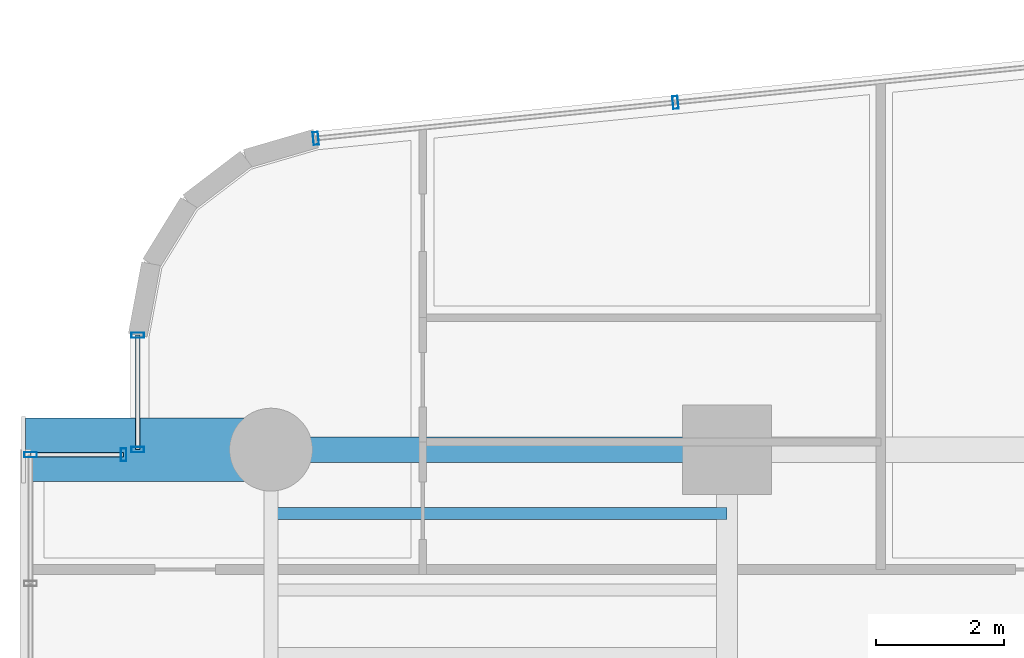
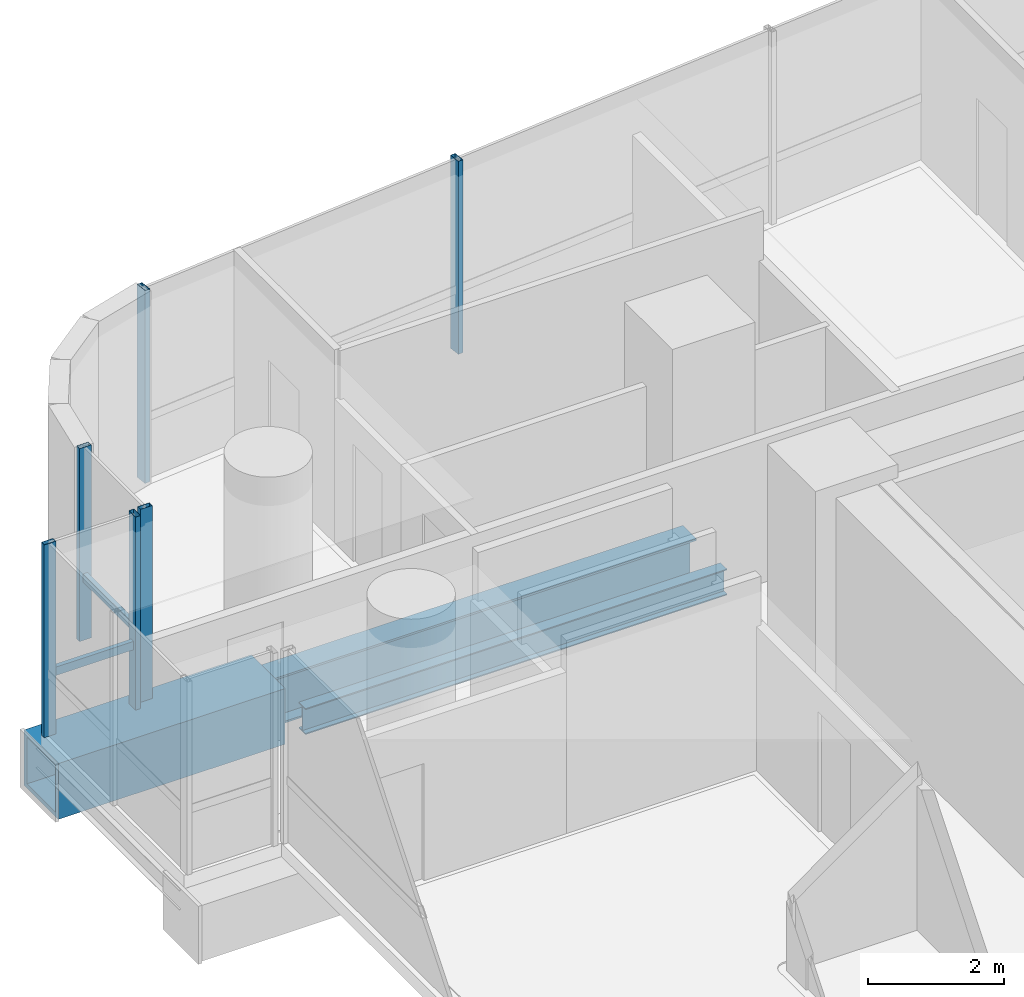
# One storey, part 19 of 42: 8 members, 3 beams, 4 elements without a shape of their own.
"""IFC4 building model written with IfcOpenShell, lengths in metres."""

from ifc_helpers import new_model, si_unit, direction, frame, origin, origin_2d, place, context, subcontext, project, spatial, hollow_rectangle, i_section, extrude, source, transform, mapped, material, material_profile, profile_set, type_object, element, aggregate, save


model = new_model("IFC4")

# Units and contexts
model_context = context("Model", 3, precision=1e-05, world=origin(), true_north=direction((0.0, 1.0)))
body_context = subcontext(model_context, "Body", "Model", "MODEL_VIEW")
ifc_project = project(units=[si_unit("LENGTHUNIT", "METRE"), si_unit("AREAUNIT", "SQUARE_METRE"), si_unit("VOLUMEUNIT", "CUBIC_METRE"), si_unit("PLANEANGLEUNIT", "RADIAN"), si_unit("MASSUNIT", "GRAM", prefix="KILO")], contexts=[model_context])

# Site, building, storey
site_placement = place(None, origin())
site = spatial("IfcSite", under=ifc_project, at=site_placement, CompositionType="ELEMENT")
building_placement = place(site_placement, origin())
building = spatial("IfcBuilding", under=site, at=building_placement, Name="Valdorenza Pilgrim Sanctuary Tower", CompositionType="ELEMENT")
storey_placement = place(building_placement, frame((0.0, 0.0, 55.60009765625)))
storey = spatial("IfcBuildingStorey", under=building, at=storey_placement, Name="L13", CompositionType="ELEMENT", Elevation=55.60009765625)

# Beams
ifc_material_1 = material(Name="Steel ASTM A992 Grade 50", Category="steel")
ifc_material_profile_1 = material_profile(ifc_material_1, i_section(OverallWidth=0.193115234375, OverallDepth=0.466064453125, WebThickness=0.011474609375, FlangeThickness=0.01904296875, at=origin_2d()), Name="W18X65")
ifc_profile_set_1 = profile_set([ifc_material_profile_1], Name="Steel ASTM A992 Grade 50")
beam_type_1 = type_object("IfcBeamType", Name="STR-BM-JST-W18A", PredefinedType="JOIST", material=ifc_profile_set_1)
shared_shape_1 = source(origin(), body_context, "Body", "SweptSolid", [
    extrude(i_section(OverallWidth=0.193115234375, OverallDepth=0.466064453125, WebThickness=0.011474609375, FlangeThickness=0.01904296875, at=origin_2d()), origin(), (0.0, 0.0, 1.0), 7.150146484375),
])
beam_1_placement = place(storey_placement, frame((-29.800048828125, 13.800048828125, -0.47314453125), z_axis=(1.0, 0.0, 0.0), x_axis=(0.0, 1.0, 0.0)))
element("IfcBeam", 1, at=beam_1_placement, inside=storey, type_object=beam_type_1, Name="L13 Composite Floor Joist JST-WA-26", PredefinedType="JOIST", context=body_context, shape_type="MappedRepresentation", body=[
    mapped(shared_shape_1, transform((0.0, 0.0, 0.0), x_axis=(1.0, 0.0, 0.0), y_axis=(0.0, 1.0, 0.0), z_axis=(0.0, 0.0, 1.0), scale=1.0)),
])
ifc_material_2 = material(Name="Steel ASTM A572 Grade 42", Category="steel")
ifc_material_profile_2 = material_profile(ifc_material_2, hollow_rectangle(XDim=1.0, YDim=1.0, WallThickness=0.080078125, at=origin_2d()), Name="BOX 1000x1000x80")
ifc_profile_set_2 = profile_set([ifc_material_profile_2], Name="Steel ASTM A572 Grade 42")
beam_type_2 = type_object("IfcBeamType", Name="STR-BM-PROW-CANT", PredefinedType="BEAM", material=ifc_profile_set_2)
shared_shape_2 = source(origin(), body_context, "Body", "SweptSolid", [
    extrude(hollow_rectangle(XDim=1.0, YDim=1.0, WallThickness=0.080078125, at=origin_2d()), origin(), (0.0, 0.0, 1.0), 3.849853515625),
])
beam_2_placement = place(storey_placement, frame((-29.800048828125, 14.800048828125, -0.739990234375), z_axis=(-1.0, 0.0, 0.0), x_axis=(0.0, -1.0, 0.0)))
element("IfcBeam", 2, at=beam_2_placement, inside=storey, type_object=beam_type_2, Name="L13 Glass Box Cantilever Beam BOX-WA-L13-CT-N", PredefinedType="BEAM", context=body_context, shape_type="MappedRepresentation", body=[
    mapped(shared_shape_2, transform((0.0, 0.0, 0.0), x_axis=(1.0, 0.0, 0.0), y_axis=(0.0, 1.0, 0.0), z_axis=(0.0, 0.0, 1.0), scale=1.0)),
])
ifc_material_profile_3 = material_profile(ifc_material_1, i_section(OverallWidth=0.39990234375, OverallDepth=0.862060546875, WebThickness=0.019775390625, FlangeThickness=0.032470703125, at=origin_2d()), Name="W33X221")
ifc_profile_set_3 = profile_set([ifc_material_profile_3], Name="Steel ASTM A992 Grade 50")
beam_type_3 = type_object("IfcBeamType", Name="STR-BM-GRD-W33", PredefinedType="BEAM", material=ifc_profile_set_3)
shared_shape_3 = source(origin(), body_context, "Body", "SweptSolid", [
    extrude(i_section(OverallWidth=0.39990234375, OverallDepth=0.862060546875, WebThickness=0.019775390625, FlangeThickness=0.032470703125, at=origin_2d()), origin(), (0.0, 0.0, 1.0), 7.150146484375),
])
beam_3_placement = place(storey_placement, frame((-29.800048828125, 14.800048828125, -0.671142578125), z_axis=(1.0, 0.0, 0.0), x_axis=(0.0, 1.0, 0.0)))
element("IfcBeam", 3, at=beam_3_placement, inside=storey, type_object=beam_type_3, Name="L13 Floor Girder WA-XW-N2", PredefinedType="BEAM", context=body_context, shape_type="MappedRepresentation", body=[
    mapped(shared_shape_3, transform((0.0, 0.0, 0.0), x_axis=(1.0, 0.0, 0.0), y_axis=(0.0, 1.0, 0.0), z_axis=(0.0, 0.0, 1.0), scale=1.0)),
])

# Curtain wall, members
ifc_material_3 = material(Name="Curtain-wall IGU glazing", Category="glass")
curtain_wall_type = type_object("IfcCurtainWallType", Name="CW-SYS-02", PredefinedType="NOTDEFINED", material=ifc_material_3)
curtain_wall_1_placement = place(storey_placement, origin())
curtain_wall_1 = element("IfcCurtainWall", 4, at=curtain_wall_1_placement, inside=storey, type_object=curtain_wall_type, Name="L13 Curtain Wall CW-L13-1-1S2", PredefinedType="NOTDEFINED")
ifc_material_4 = material(Name="Anodised aluminium AW-6060", Category="aluminium")
ifc_material_profile_4 = material_profile(ifc_material_4, hollow_rectangle(XDim=0.0849609375, YDim=0.199951171875, WallThickness=0.0048828125, at=origin_2d()), Name="ALU-M 200x85x5")
ifc_profile_set_4 = profile_set([ifc_material_profile_4], Name="Anodised aluminium AW-6060")
member_type_1 = type_object("IfcMemberType", Name="CW-MUL-02", PredefinedType="MULLION", material=ifc_profile_set_4)
shared_shape_4 = source(origin(), body_context, "Body", "SweptSolid", [
    extrude(hollow_rectangle(XDim=0.0849609375, YDim=0.199951171875, WallThickness=0.0048828125, at=origin_2d()), origin(), (0.0, 0.0, 1.0), 3.4599609375),
])
member_1_placement = place(storey_placement, frame((-31.889892578125, 14.800048828125, 0.0), z_axis=(0.0, 0.0, 1.0), x_axis=(0.0, 1.0, 0.0)))
member_1 = element("IfcMember", 5, at=member_1_placement, type_object=member_type_1, Name="CW-L13-1-1S2 Mullion 1", PredefinedType="MULLION", context=body_context, shape_type="MappedRepresentation", body=[
    mapped(shared_shape_4, transform((0.0, 0.0, 0.0), x_axis=(1.0, 0.0, 0.0), y_axis=(0.0, 1.0, 0.0), z_axis=(0.0, 0.0, 1.0), scale=1.0)),
])
member_2_placement = place(storey_placement, frame((-31.889892578125, 16.593994140625, 0.0), z_axis=(0.0, 0.0, 1.0), x_axis=(0.0, 1.0, 0.0)))
member_2 = element("IfcMember", 6, at=member_2_placement, type_object=member_type_1, Name="CW-L13-1-1S2 Mullion 2", PredefinedType="MULLION", context=body_context, shape_type="MappedRepresentation", body=[
    mapped(shared_shape_4, transform((0.0, 0.0, 0.0), x_axis=(1.0, 0.0, 0.0), y_axis=(0.0, 1.0, 0.0), z_axis=(0.0, 0.0, 1.0), scale=1.0)),
])

curtain_wall_2_placement = place(storey_placement, origin())
curtain_wall_2 = element("IfcCurtainWall", 7, at=curtain_wall_2_placement, inside=storey, type_object=curtain_wall_type, Name="L13 Curtain Wall CW-L13-1-6", PredefinedType="NOTDEFINED")
member_3_placement = place(storey_placement, frame((-29.097412109375, 19.6796875, 0.0), z_axis=(0.0, 0.0, 1.0), x_axis=(0.995038220239, 0.099493418189, 0.0)))
member_3 = element("IfcMember", 8, at=member_3_placement, type_object=member_type_1, Name="CW-L13-1-6 Mullion 1", PredefinedType="MULLION", context=body_context, shape_type="MappedRepresentation", body=[
    mapped(shared_shape_4, transform((0.0, 0.0, 0.0), x_axis=(1.0, 0.0, 0.0), y_axis=(0.0, 1.0, 0.0), z_axis=(0.0, 0.0, 1.0), scale=1.0)),
])
member_4_placement = place(storey_placement, frame((-23.458984375, 20.24365234375, 0.0), z_axis=(0.0, 0.0, 1.0), x_axis=(0.995038220239, 0.099493418189, 0.0)))
member_4 = element("IfcMember", 9, at=member_4_placement, type_object=member_type_1, Name="CW-L13-1-6 Mullion 2", PredefinedType="MULLION", context=body_context, shape_type="MappedRepresentation", body=[
    mapped(shared_shape_4, transform((0.0, 0.0, 0.0), x_axis=(1.0, 0.0, 0.0), y_axis=(0.0, 1.0, 0.0), z_axis=(0.0, 0.0, 1.0), scale=1.0)),
])
aggregate(curtain_wall_2, [member_3, member_4])

# Curtain wall, member
curtain_wall_3_placement = place(storey_placement, origin())
curtain_wall_3 = element("IfcCurtainWall", 10, at=curtain_wall_3_placement, inside=storey, type_object=curtain_wall_type, Name="L13 Curtain Wall CW-L13-BOX-WA-L13-F", PredefinedType="NOTDEFINED")
member_5_placement = place(storey_placement, frame((-33.570068359375, 14.719970703125, 0.0), z_axis=(0.0, 0.0, 1.0), x_axis=(0.0, 1.0, 0.0)))
member_5 = element("IfcMember", 11, at=member_5_placement, type_object=member_type_1, Name="CW-L13-BOX-WA-L13-F Mullion 3", PredefinedType="MULLION", context=body_context, shape_type="MappedRepresentation", body=[
    mapped(shared_shape_4, transform((0.0, 0.0, 0.0), x_axis=(1.0, 0.0, 0.0), y_axis=(0.0, 1.0, 0.0), z_axis=(0.0, 0.0, 1.0), scale=1.0)),
])
aggregate(curtain_wall_3, [member_5])

# Curtain wall, members
curtain_wall_4_placement = place(storey_placement, origin())
curtain_wall_4 = element("IfcCurtainWall", 12, at=curtain_wall_4_placement, inside=storey, type_object=curtain_wall_type, Name="L13 Curtain Wall CW-L13-BOX-WA-L13-N", PredefinedType="NOTDEFINED")
member_6_placement = place(storey_placement, frame((-32.110107421875, 14.719970703125, 0.0), z_axis=(0.0, 0.0, 1.0), x_axis=(1.0, 0.0, 0.0)))
member_6 = element("IfcMember", 13, at=member_6_placement, type_object=member_type_1, Name="CW-L13-BOX-WA-L13-N Mullion 2", PredefinedType="MULLION", context=body_context, shape_type="MappedRepresentation", body=[
    mapped(shared_shape_4, transform((0.0, 0.0, 0.0), x_axis=(1.0, 0.0, 0.0), y_axis=(0.0, 1.0, 0.0), z_axis=(0.0, 0.0, 1.0), scale=1.0)),
])
ifc_material_profile_5 = material_profile(ifc_material_4, hollow_rectangle(XDim=0.074951171875, YDim=0.14990234375, WallThickness=0.00390625, at=origin_2d()), Name="ALU-T 150x75x4")
ifc_profile_set_5 = profile_set([ifc_material_profile_5], Name="Anodised aluminium AW-6060")
member_type_2 = type_object("IfcMemberType", Name="CW-TRN-02", PredefinedType="USERDEFINED", material=ifc_profile_set_5)
shared_shape_5 = source(origin(), body_context, "Body", "SweptSolid", [
    extrude(hollow_rectangle(XDim=0.074951171875, YDim=0.14990234375, WallThickness=0.00390625, at=origin_2d()), origin(), (0.0, 0.0, 1.0), 1.4599609375),
])
member_7_placement = place(storey_placement, frame((-33.570068359375, 14.719970703125, 1.119873046875), z_axis=(1.0, 0.0, 0.0), x_axis=(0.0, 1.0, 0.0)))
member_7 = element("IfcMember", 14, at=member_7_placement, type_object=member_type_2, Name="CW-L13-BOX-WA-L13-N Transom 1", ObjectType="TRANSOM", PredefinedType="USERDEFINED", context=body_context, shape_type="MappedRepresentation", body=[
    mapped(shared_shape_5, transform((0.0, 0.0, 0.0), x_axis=(1.0, 0.0, 0.0), y_axis=(0.0, 1.0, 0.0), z_axis=(0.0, 0.0, 1.0), scale=1.0)),
])
aggregate(curtain_wall_4, [member_6, member_7])

# Member
shared_shape_6 = source(origin(), body_context, "Body", "SweptSolid", [
    extrude(hollow_rectangle(XDim=0.074951171875, YDim=0.14990234375, WallThickness=0.00390625, at=origin_2d()), origin(), (0.0, 0.0, 1.0), 1.7939453125),
])
member_8_placement = place(storey_placement, frame((-31.889892578125, 14.800048828125, 1.119873046875), z_axis=(0.0, 1.0, 0.0), x_axis=(-1.0, 0.0, 0.0)))
member_8 = element("IfcMember", 15, at=member_8_placement, type_object=member_type_2, Name="CW-L13-1-1S2 Transom 1", ObjectType="TRANSOM", PredefinedType="USERDEFINED", context=body_context, shape_type="MappedRepresentation", body=[
    mapped(shared_shape_6, transform((0.0, 0.0, 0.0), x_axis=(1.0, 0.0, 0.0), y_axis=(0.0, 1.0, 0.0), z_axis=(0.0, 0.0, 1.0), scale=1.0)),
])

aggregate(curtain_wall_1, [member_1, member_2, member_8])

save(model, "model.ifc")
